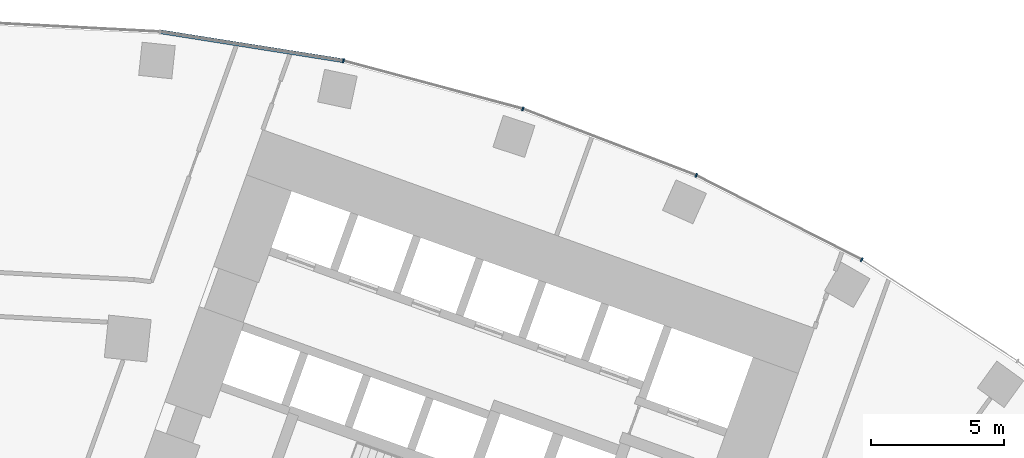
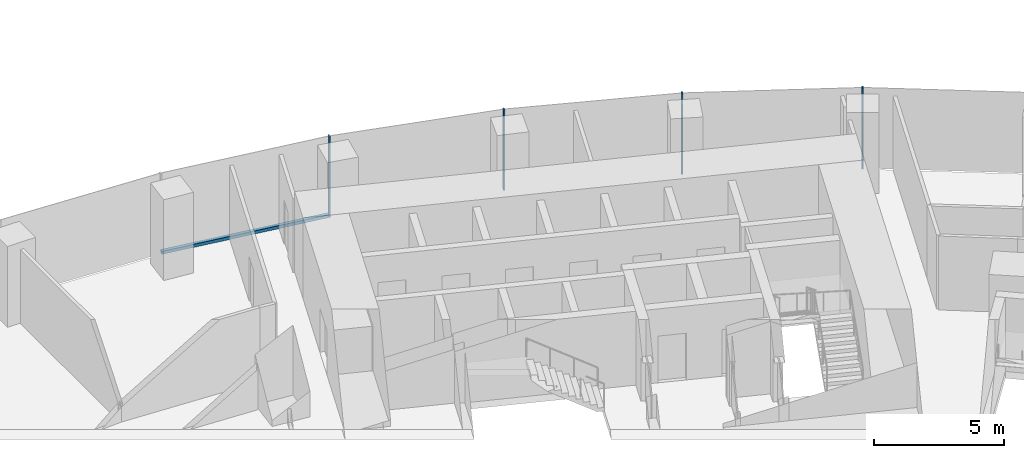
# One storey, part 11 of 21: 5 members, 1 element without a shape of its own.
"""IFC4 building model written with IfcOpenShell, lengths in metres."""

from ifc_helpers import new_model, si_unit, direction, frame, origin, origin_2d, place, context, subcontext, project, spatial, rectangle, extrude, material, layer, layer_set, material_profile, profile_set, type_object, element, aggregate, save


model = new_model("IFC4")

# Units and contexts
model_context = context("Model", 3, precision=1e-05, world=origin(), true_north=direction((0.0, 1.0)))
body_context = subcontext(model_context, "Body", "Model", "MODEL_VIEW")
ifc_project = project(units=[si_unit("LENGTHUNIT", "METRE"), si_unit("AREAUNIT", "SQUARE_METRE"), si_unit("VOLUMEUNIT", "CUBIC_METRE"), si_unit("PLANEANGLEUNIT", "RADIAN"), si_unit("MASSUNIT", "GRAM", prefix="KILO")], contexts=[model_context])

# Site, building, storey
site_placement = place(None, origin())
site = spatial("IfcSite", under=ifc_project, at=site_placement, CompositionType="ELEMENT")
building_placement = place(site_placement, origin())
building = spatial("IfcBuilding", under=site, at=building_placement, Name="Stone Belt Terrace Tower", CompositionType="ELEMENT")
storey_placement = place(building_placement, frame((0.0, 0.0, 56.60009765625)))
storey = spatial("IfcBuildingStorey", under=building, at=storey_placement, Name="L13", CompositionType="ELEMENT", Elevation=56.60009765625)

# Curtain wall, members
ifc_material = material(Name="Aluminium 6063-T6 anodised frame", Category="aluminium")
ifc_layer = layer(ifc_material, 0.14990234375)
ifc_layer_set = layer_set([ifc_layer], Name="CW-A unitised convex-face curtain wall")
curtain_wall_type = type_object("IfcCurtainWallType", Name="CW-A unitised convex-face curtain wall", PredefinedType="NOTDEFINED", material=ifc_layer_set)
curtain_wall_placement = place(storey_placement, origin())
curtain_wall = element("IfcCurtainWall", 1, at=curtain_wall_placement, inside=storey, type_object=curtain_wall_type, Name="CW-A convex face L13", PredefinedType="NOTDEFINED")
ifc_material_profile_1 = material_profile(ifc_material, rectangle(XDim=0.14990234375, YDim=0.06005859375, at=origin_2d()), Name="Aluminium 6063-T6 60x150")
ifc_profile_set_1 = profile_set([ifc_material_profile_1], Name="Aluminium 6063-T6 anodised frame")
member_type_1 = type_object("IfcMemberType", Name="CW-A mullion 60 x 150", PredefinedType="MULLION", material=ifc_profile_set_1)
member_1_placement = place(storey_placement, frame((33.28759765625, 57.65576171875, 0.0), z_axis=(0.0, 0.0, 1.0), x_axis=(-0.5, -0.866025403784, 0.0)))
member_1 = element("IfcMember", 2, at=member_1_placement, type_object=member_type_1, Name="CW-A mullion 4", PredefinedType="MULLION", context=body_context, shape_type="SweptSolid", body=[
    extrude(rectangle(XDim=0.14990234375, YDim=0.06005859375, at=origin_2d()), origin(), (0.0, 0.0, 1.0), 3.7998046875),
])
member_2_placement = place(storey_placement, frame((27.07861328125, 60.8193359375, 0.0), z_axis=(0.0, 0.0, 1.0), x_axis=(-0.406736643076, -0.913545457643, 0.0)))
member_2 = element("IfcMember", 3, at=member_2_placement, type_object=member_type_1, Name="CW-A mullion 5", PredefinedType="MULLION", context=body_context, shape_type="SweptSolid", body=[
    extrude(rectangle(XDim=0.14990234375, YDim=0.06005859375, at=origin_2d()), origin(), (0.0, 0.0, 1.0), 3.7998046875),
])
member_3_placement = place(storey_placement, frame((20.57275390625, 63.316650390625, 0.0), z_axis=(0.0, 0.0, 1.0), x_axis=(-0.309016994375, -0.951056516295, 0.0)))
member_3 = element("IfcMember", 4, at=member_3_placement, type_object=member_type_1, Name="CW-A mullion 6", PredefinedType="MULLION", context=body_context, shape_type="SweptSolid", body=[
    extrude(rectangle(XDim=0.14990234375, YDim=0.06005859375, at=origin_2d()), origin(), (0.0, 0.0, 1.0), 3.7998046875),
])
member_4_placement = place(storey_placement, frame((13.841796875, 65.120361328125, 0.0), z_axis=(0.0, 0.0, 1.0), x_axis=(-0.207911690818, -0.978147600734, 0.0)))
member_4 = element("IfcMember", 5, at=member_4_placement, type_object=member_type_1, Name="CW-A mullion 7", PredefinedType="MULLION", context=body_context, shape_type="SweptSolid", body=[
    extrude(rectangle(XDim=0.14990234375, YDim=0.06005859375, at=origin_2d()), origin(), (0.0, 0.0, 1.0), 3.7998046875),
])
ifc_material_profile_2 = material_profile(ifc_material, rectangle(XDim=0.14990234375, YDim=0.139892578125, at=origin_2d()), Name="Aluminium 6063-T6 150x140")
ifc_profile_set_2 = profile_set([ifc_material_profile_2], Name="Aluminium 6063-T6 anodised frame")
member_type_2 = type_object("IfcMemberType", Name="CW-A transom 140 x 150", PredefinedType="USERDEFINED", material=ifc_profile_set_2)
member_5_placement = place(storey_placement, frame((13.808349609375, 65.12548828125, 0.06982421875), z_axis=(-0.987687120531, 0.156442168027, 0.0), x_axis=(-0.156442168027, -0.987687120531, 0.0)))
member_5 = element("IfcMember", 6, at=member_5_placement, type_object=member_type_2, Name="CW-A transom 7.1", ObjectType="TRANSOM", PredefinedType="USERDEFINED", context=body_context, shape_type="SweptSolid", body=[
    extrude(rectangle(XDim=0.14990234375, YDim=0.139892578125, at=origin_2d()), origin(), (0.0, 0.0, 1.0), 6.90087890625),
])
aggregate(curtain_wall, [member_1, member_2, member_3, member_4, member_5])

save(model, "model.ifc")
